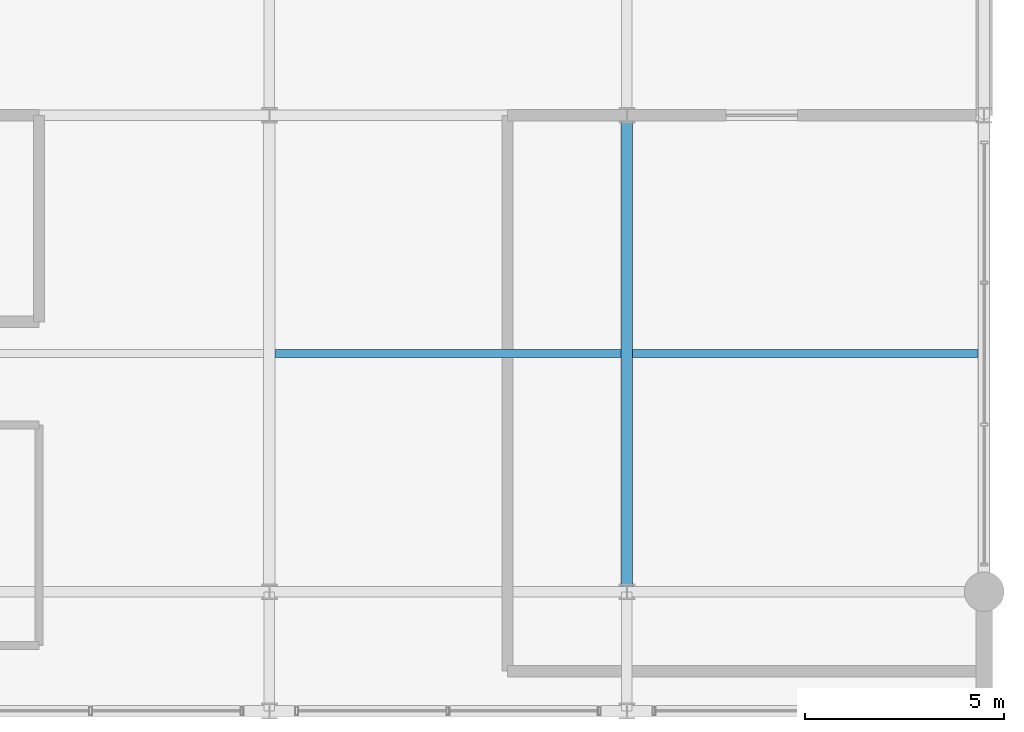
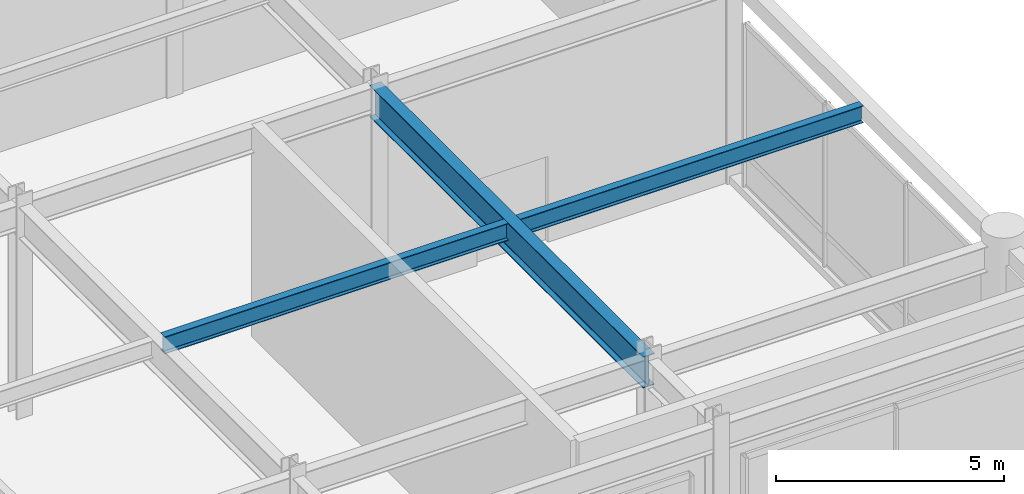
# One storey, part 61 of 105: 3 beams.
"""IFC4 building model written with IfcOpenShell, lengths in metres."""

from ifc_helpers import new_model, si_unit, direction, frame, origin, origin_2d, place, context, subcontext, project, spatial, i_section, extrude, material, material_profile, profile_set, type_object, element, save


model = new_model("IFC4")

# Units and contexts
model_context = context("Model", 3, precision=1e-05, world=origin(), true_north=direction((0.0, 1.0)))
body_context = subcontext(model_context, "Body", "Model", "MODEL_VIEW")
ifc_project = project(units=[si_unit("LENGTHUNIT", "METRE"), si_unit("AREAUNIT", "SQUARE_METRE"), si_unit("VOLUMEUNIT", "CUBIC_METRE"), si_unit("PLANEANGLEUNIT", "RADIAN"), si_unit("MASSUNIT", "GRAM", prefix="KILO")], contexts=[model_context])

# Site, building, storey
site_placement = place(None, origin())
site = spatial("IfcSite", under=ifc_project, at=site_placement, CompositionType="ELEMENT")
building_placement = place(site_placement, origin())
building = spatial("IfcBuilding", under=site, at=building_placement, Name="Kaldorvane Square Convention Centre", CompositionType="ELEMENT")
storey_placement = place(building_placement, frame((0.0, 0.0, 6.0)))
storey = spatial("IfcBuildingStorey", under=building, at=storey_placement, Name="L01", CompositionType="ELEMENT", Elevation=6.0)

# Beams
ifc_material = material(Name="Steel ASTM A992 Gr. 50", Category="steel")
ifc_material_profile_1 = material_profile(ifc_material, i_section(OverallWidth=0.292999267578125, OverallDepth=0.845794677734375, WebThickness=0.0153961181640625, FlangeThickness=0.0243988037109375, FilletRadius=0.0178070068359375, at=origin_2d()), Name="W33X141")
ifc_profile_set_1 = profile_set([ifc_material_profile_1], Name="Steel ASTM A992 Gr. 50")
beam_type_1 = type_object("IfcBeamType", Name="BM-GR-W33X141", PredefinedType="BEAM", material=ifc_profile_set_1)
beam_1_placement = place(storey_placement, frame((165.0, 84.0, 5.2530975341796875), z_axis=(0.0, 1.0, 0.0), x_axis=(-1.0, 0.0, 0.0)))
element("IfcBeam", 1, at=beam_1_placement, inside=storey, type_object=beam_type_1, Name="Transverse Girder (L01)", PredefinedType="BEAM", context=body_context, shape_type="SweptSolid", body=[
    extrude(i_section(OverallWidth=0.292999267578125, OverallDepth=0.845794677734375, WebThickness=0.0153961181640625, FlangeThickness=0.0243988037109375, FilletRadius=0.0178070068359375, at=origin_2d()), origin(), (0.0, 0.0, 1.0), 12.0),
])
ifc_material_profile_2 = material_profile(ifc_material, i_section(OverallWidth=0.1912994384765625, OverallDepth=0.4600067138671875, WebThickness=0.0099029541015625, FlangeThickness=0.0160064697265625, FilletRadius=0.01019287109375, at=origin_2d()), Name="W18X55")
ifc_profile_set_2 = profile_set([ifc_material_profile_2], Name="Steel ASTM A992 Gr. 50")
beam_type_2 = type_object("IfcBeamType", Name="BM-JS-W18X55", PredefinedType="JOIST", material=ifc_profile_set_2)
beam_2_placement = place(storey_placement, frame((156.14649963378906, 90.0, 5.4459991455078125), z_axis=(1.0, 0.0, 0.0), x_axis=(0.0, 1.0, 0.0)))
element("IfcBeam", 2, at=beam_2_placement, inside=storey, type_object=beam_type_2, Name="Secondary Floor Joist (L01)", PredefinedType="JOIST", context=body_context, shape_type="SweptSolid", body=[
    extrude(i_section(OverallWidth=0.1912994384765625, OverallDepth=0.4600067138671875, WebThickness=0.0099029541015625, FlangeThickness=0.0160064697265625, FilletRadius=0.01019287109375, at=origin_2d()), origin(), (0.0, 0.0, 1.0), 8.707000732421875),
])
beam_3_placement = place(storey_placement, frame((165.14649963378906, 90.0, 5.4459991455078125), z_axis=(1.0, 0.0, 0.0), x_axis=(0.0, 1.0, 0.0)))
element("IfcBeam", 3, at=beam_3_placement, inside=storey, type_object=beam_type_2, Name="Secondary Floor Joist (L01)", PredefinedType="JOIST", context=body_context, shape_type="SweptSolid", body=[
    extrude(i_section(OverallWidth=0.1912994384765625, OverallDepth=0.4600067138671875, WebThickness=0.0099029541015625, FlangeThickness=0.0160064697265625, FilletRadius=0.01019287109375, at=origin_2d()), origin(), (0.0, 0.0, 1.0), 8.701095581054688),
])

save(model, "model.ifc")
